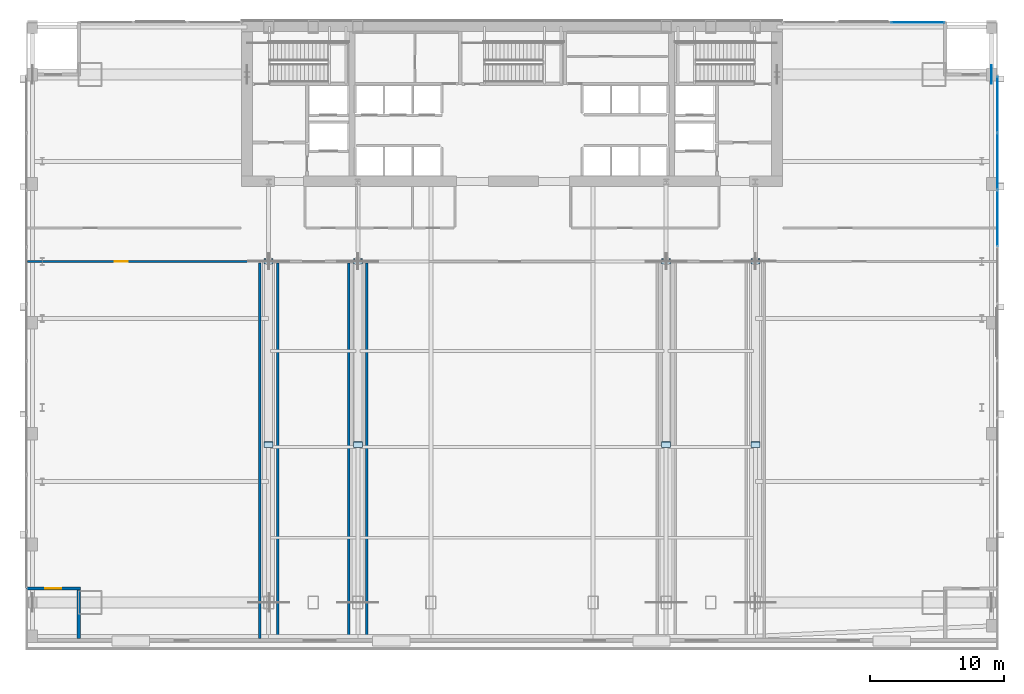
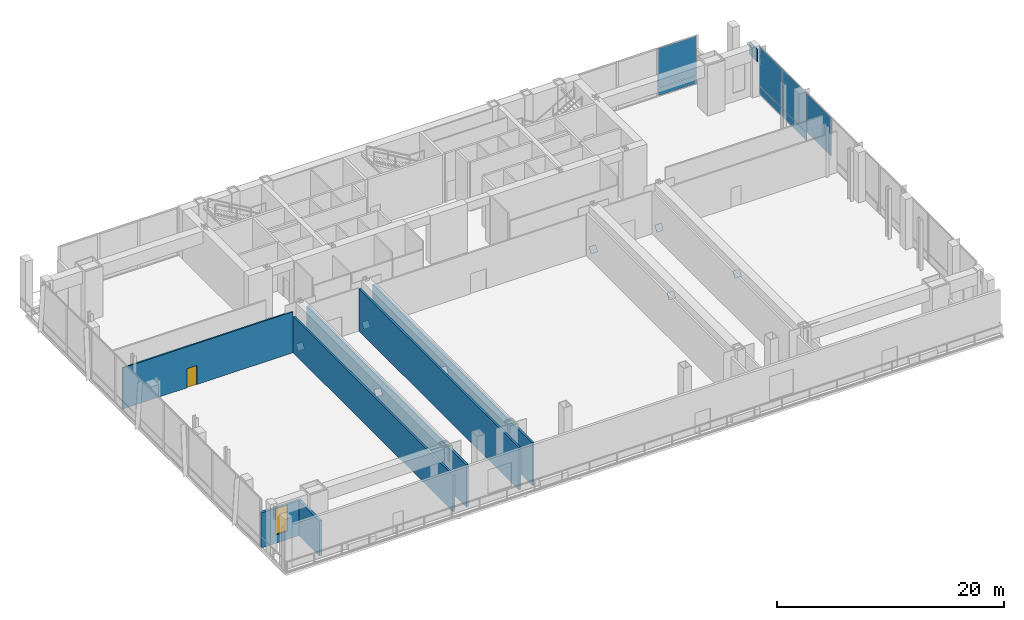
# One storey, part 19 of 26: 16 plates, 7 walls, 1 door, 1 window, 2 openings, 2 elements without a shape of their own.
"""IFC4 building model written with IfcOpenShell, lengths in metres."""

from ifc_helpers import new_model, si_unit, direction, frame, frame_2d, origin, origin_2d, place, context, subcontext, project, spatial, polyline, rectangle, outline, extrude, material, layer, layer_set, type_object, element, fill, aggregate, save


model = new_model("IFC4")

# Units and contexts
model_context = context("Model", 3, precision=1e-05, world=origin(), true_north=direction((0.0, 1.0)))
body_context = subcontext(model_context, "Body", "Model", "MODEL_VIEW")
ifc_project = project(units=[si_unit("LENGTHUNIT", "METRE"), si_unit("AREAUNIT", "SQUARE_METRE"), si_unit("VOLUMEUNIT", "CUBIC_METRE"), si_unit("PLANEANGLEUNIT", "RADIAN"), si_unit("MASSUNIT", "GRAM", prefix="KILO")], contexts=[model_context])

# Site, building, storey
site_placement = place(None, origin())
site = spatial("IfcSite", under=ifc_project, at=site_placement, CompositionType="ELEMENT")
building_placement = place(site_placement, origin())
building = spatial("IfcBuilding", under=site, at=building_placement, Name="Khoronbel Lancet Exchange", CompositionType="ELEMENT")
storey_placement = place(building_placement, frame((0.0, 0.0, 20.39990234375)))
storey = spatial("IfcBuildingStorey", under=building, at=storey_placement, Name="L04", CompositionType="ELEMENT", Elevation=20.39990234375)

# Curtain wall, plates
ifc_material_1 = material(Name="Low-E Solar Control Insulating Glass", Category="glass")
curtain_wall_type = type_object("IfcCurtainWallType", Name="CW-5", PredefinedType="NOTDEFINED", material=ifc_material_1)
curtain_wall_1_placement = place(storey_placement, origin())
curtain_wall_1 = element("IfcCurtainWall", 1, at=curtain_wall_1_placement, inside=storey, type_object=curtain_wall_type, Name="Unitised curtain wall CW-L04-EAST", PredefinedType="NOTDEFINED")
ifc_layer_1 = layer(ifc_material_1, 0.035888671875, Name="Low-E Solar Control Insulating Glass")
ifc_layer_set_1 = layer_set([ifc_layer_1], Name="Low-E Solar Control Insulating Glass")
plate_type_1 = type_object("IfcPlateType", Name="PLT-CWP1", PredefinedType="CURTAIN_PANEL", material=ifc_layer_set_1)
plate_1_placement = place(storey_placement, frame((72.800048828125, 38.933349609375, 0.98779296875), z_axis=(0.0, 0.0, 1.0), x_axis=(0.0, 1.0, 0.0)))
plate_1 = element("IfcPlate", 2, at=plate_1_placement, type_object=plate_type_1, Name="CW5 panel 7.2", PredefinedType="CURTAIN_PANEL", context=body_context, shape_type="SweptSolid", body=[
    extrude(rectangle(XDim=4.181640625, YDim=0.0380859375, at=origin_2d()), origin(), (0.0, 0.0, 1.0), 4.157470703125),
])
plate_2_placement = place(storey_placement, frame((72.800048828125, 43.199951171875, 0.0751953125), z_axis=(0.0, 0.0, 1.0), x_axis=(0.0, 1.0, 0.0)))
plate_2 = element("IfcPlate", 3, at=plate_2_placement, type_object=plate_type_1, Name="CW5 panel 8.1", PredefinedType="CURTAIN_PANEL", context=body_context, shape_type="SweptSolid", body=[
    extrude(rectangle(XDim=4.181640625, YDim=0.0380859375, at=origin_2d()), origin(), (0.0, 0.0, 1.0), 0.83740234375),
])
plate_3_placement = place(storey_placement, frame((72.800048828125, 43.199951171875, 0.98779296875), z_axis=(0.0, 0.0, 1.0), x_axis=(0.0, 1.0, 0.0)))
plate_3 = element("IfcPlate", 4, at=plate_3_placement, type_object=plate_type_1, Name="CW5 panel 8.2", PredefinedType="CURTAIN_PANEL", context=body_context, shape_type="SweptSolid", body=[
    extrude(rectangle(XDim=4.181640625, YDim=0.0380859375, at=origin_2d()), origin(), (0.0, 0.0, 1.0), 4.157470703125),
])
plate_4_placement = place(storey_placement, frame((72.800048828125, 47.4453125, 0.0751953125), z_axis=(0.0, 0.0, 1.0), x_axis=(0.0, 1.0, 0.0)))
plate_4 = element("IfcPlate", 5, at=plate_4_placement, type_object=plate_type_1, Name="CW5 panel 9.1", PredefinedType="CURTAIN_PANEL", context=body_context, shape_type="SweptSolid", body=[
    extrude(rectangle(XDim=4.13916015625, YDim=0.0380859375, at=origin_2d()), origin(), (0.0, 0.0, 1.0), 0.83740234375),
])
plate_5_placement = place(storey_placement, frame((72.800048828125, 47.4453125, 0.98779296875), z_axis=(0.0, 0.0, 1.0), x_axis=(0.0, 1.0, 0.0)))
plate_5 = element("IfcPlate", 6, at=plate_5_placement, type_object=plate_type_1, Name="CW5 panel 9.2", PredefinedType="CURTAIN_PANEL", context=body_context, shape_type="SweptSolid", body=[
    extrude(rectangle(XDim=4.13916015625, YDim=0.0380859375, at=origin_2d()), origin(), (0.0, 0.0, 1.0), 4.157470703125),
])
aggregate(curtain_wall_1, [plate_1, plate_2, plate_3, plate_4, plate_5])

curtain_wall_2_placement = place(storey_placement, origin())
curtain_wall_2 = element("IfcCurtainWall", 7, at=curtain_wall_2_placement, inside=storey, type_object=curtain_wall_type, Name="Unitised curtain wall CW-L04-NE", PredefinedType="NOTDEFINED")
plate_6_placement = place(storey_placement, frame((66.842041015625, 53.60009765625, 0.0751953125), z_axis=(0.0, 0.0, 1.0), x_axis=(1.0, 0.0, 0.0)))
plate_6 = element("IfcPlate", 8, at=plate_6_placement, type_object=plate_type_1, Name="CW5 panel 3.1", PredefinedType="CURTAIN_PANEL", context=body_context, shape_type="SweptSolid", body=[
    extrude(rectangle(XDim=3.94580078125, YDim=0.0380859375, at=origin_2d()), origin(), (0.0, 0.0, 1.0), 0.83740234375),
])
plate_7_placement = place(storey_placement, frame((66.842041015625, 53.60009765625, 0.98779296875), z_axis=(0.0, 0.0, 1.0), x_axis=(1.0, 0.0, 0.0)))
plate_7 = element("IfcPlate", 9, at=plate_7_placement, type_object=plate_type_1, Name="CW5 panel 3.2", PredefinedType="CURTAIN_PANEL", context=body_context, shape_type="SweptSolid", body=[
    extrude(rectangle(XDim=3.94580078125, YDim=0.0380859375, at=origin_2d()), origin(), (0.0, 0.0, 1.0), 4.157470703125),
])
aggregate(curtain_wall_2, [plate_6, plate_7])

# Plates
ifc_material_2 = material(Name="Steel S460", Category="steel")
ifc_layer_2 = layer(ifc_material_2, 0.044921875, Name="Steel S460")
ifc_layer_set_2 = layer_set([ifc_layer_2], Name="Steel S460")
plate_type_2 = type_object("IfcPlateType", Name="PLT-ECP1", PredefinedType="USERDEFINED", material=ifc_layer_set_2)
plate_8_placement = place(storey_placement, frame((17.885009765625, 35.4951171875, 0.078369140625), z_axis=(0.0, -0.819130726387, 0.573606880266), x_axis=(1.0, 0.0, 0.0)))
element("IfcPlate", 10, at=plate_8_placement, inside=storey, type_object=plate_type_2, Name="Hollow end cap plate PLT-CAP-TRD1-A", ObjectType="STIFFENER_PLATE", PredefinedType="USERDEFINED", context=body_context, shape_type="SweptSolid", body=[
    extrude(outline(polyline([(0.0, 0.0), (0.679931640625, 0.0), (0.679931640625, 0.68017578125), (0.0, 0.68017578125), (0.0, 0.0)])), origin(), (0.0, 0.0, -1.0), 0.044921875),
])
plate_9_placement = place(storey_placement, frame((17.885009765625, 21.778076171875, 3.46044921875), z_axis=(0.0, -0.819299382991, 0.573365957334), x_axis=(1.0, 0.0, 0.0)))
element("IfcPlate", 11, at=plate_9_placement, inside=storey, type_object=plate_type_2, Name="Hollow end cap plate PLT-CAP-TRD1-B", ObjectType="STIFFENER_PLATE", PredefinedType="USERDEFINED", context=body_context, shape_type="SweptSolid", body=[
    extrude(outline(polyline([(0.0, 0.0), (0.679931640625, 0.0), (0.679931640625, 0.679931640625), (0.0, 0.679931640625), (0.0, 0.0)])), origin(), (0.0, 0.0, -1.0), 0.044921875),
])
plate_10_placement = place(storey_placement, frame((24.56005859375, 35.4951171875, 0.078369140625), z_axis=(0.0, -0.819130726387, 0.573606880266), x_axis=(1.0, 0.0, 0.0)))
element("IfcPlate", 12, at=plate_10_placement, inside=storey, type_object=plate_type_2, Name="Hollow end cap plate PLT-CAP-TRD2-A", ObjectType="STIFFENER_PLATE", PredefinedType="USERDEFINED", context=body_context, shape_type="SweptSolid", body=[
    extrude(outline(polyline([(0.0, 0.0), (0.679931640625, 0.0), (0.679931640625, 0.68017578125), (0.0, 0.68017578125), (0.0, 0.0)])), origin(), (0.0, 0.0, -1.0), 0.044921875),
])
plate_11_placement = place(storey_placement, frame((24.56005859375, 21.778076171875, 3.46044921875), z_axis=(0.0, -0.819299382991, 0.573365957334), x_axis=(1.0, 0.0, 0.0)))
element("IfcPlate", 13, at=plate_11_placement, inside=storey, type_object=plate_type_2, Name="Hollow end cap plate PLT-CAP-TRD2-B", ObjectType="STIFFENER_PLATE", PredefinedType="USERDEFINED", context=body_context, shape_type="SweptSolid", body=[
    extrude(outline(polyline([(0.0, 0.0), (0.679931640625, 0.0), (0.679931640625, 0.679931640625), (0.0, 0.679931640625), (0.0, 0.0)])), origin(), (0.0, 0.0, -1.0), 0.044921875),
])
plate_12_placement = place(storey_placement, frame((47.659912109375, 35.4951171875, 0.078369140625), z_axis=(0.0, -0.819130726387, 0.573606880266), x_axis=(1.0, 0.0, 0.0)))
element("IfcPlate", 14, at=plate_12_placement, inside=storey, type_object=plate_type_2, Name="Hollow end cap plate PLT-CAP-TRD3-A", ObjectType="STIFFENER_PLATE", PredefinedType="USERDEFINED", context=body_context, shape_type="SweptSolid", body=[
    extrude(outline(polyline([(0.0, 0.0), (0.68017578125, 0.0), (0.68017578125, 0.68017578125), (0.0, 0.68017578125), (0.0, 0.0)])), origin(), (0.0, 0.0, -1.0), 0.044921875),
])
plate_13_placement = place(storey_placement, frame((47.659912109375, 21.778076171875, 3.46044921875), z_axis=(0.0, -0.819299382991, 0.573365957334), x_axis=(1.0, 0.0, 0.0)))
element("IfcPlate", 15, at=plate_13_placement, inside=storey, type_object=plate_type_2, Name="Hollow end cap plate PLT-CAP-TRD3-B", ObjectType="STIFFENER_PLATE", PredefinedType="USERDEFINED", context=body_context, shape_type="SweptSolid", body=[
    extrude(outline(polyline([(0.0, 0.0), (0.68017578125, 0.0), (0.68017578125, 0.679931640625), (0.0, 0.679931640625), (0.0, 0.0)])), origin(), (0.0, 0.0, -1.0), 0.044921875),
])
plate_14_placement = place(storey_placement, frame((54.3349609375, 35.4951171875, 0.078369140625), z_axis=(0.0, -0.819130726387, 0.573606880266), x_axis=(1.0, 0.0, 0.0)))
element("IfcPlate", 16, at=plate_14_placement, inside=storey, type_object=plate_type_2, Name="Hollow end cap plate PLT-CAP-TRD4-A", ObjectType="STIFFENER_PLATE", PredefinedType="USERDEFINED", context=body_context, shape_type="SweptSolid", body=[
    extrude(outline(polyline([(0.0, 0.0), (0.679931640625, 0.0), (0.679931640625, 0.68017578125), (0.0, 0.68017578125), (0.0, 0.0)])), origin(), (0.0, 0.0, -1.0), 0.044921875),
])
plate_15_placement = place(storey_placement, frame((54.3349609375, 21.778076171875, 3.46044921875), z_axis=(0.0, -0.819299382991, 0.573365957334), x_axis=(1.0, 0.0, 0.0)))
element("IfcPlate", 17, at=plate_15_placement, inside=storey, type_object=plate_type_2, Name="Hollow end cap plate PLT-CAP-TRD4-B", ObjectType="STIFFENER_PLATE", PredefinedType="USERDEFINED", context=body_context, shape_type="SweptSolid", body=[
    extrude(outline(polyline([(0.0, 0.0), (0.679931640625, 0.0), (0.679931640625, 0.679931640625), (0.0, 0.679931640625), (0.0, 0.0)])), origin(), (0.0, 0.0, -1.0), 0.044921875),
])
plate_16_placement = place(storey_placement, frame((72.360107421875, 49.699951171875, 3.8701171875), z_axis=(0.0, 0.0, 1.0), x_axis=(1.0, 0.0, 0.0)))
element("IfcPlate", 18, at=plate_16_placement, inside=storey, type_object=plate_type_2, Name="Hollow end cap plate PLT-CAP-BM-L04-ZTG-MC-NE-1", ObjectType="STIFFENER_PLATE", PredefinedType="USERDEFINED", context=body_context, shape_type="SweptSolid", body=[
    extrude(rectangle(XDim=0.044921875, YDim=1.3798828125, at=origin_2d()), origin(), (0.0, 0.0, 1.0), 1.3798828125),
])

# Wall, opening, window
ifc_material_3 = material(Name="Precast concrete C40/50", Category="concrete")
ifc_layer_3 = layer(ifc_material_3, 0.25, Name="Precast concrete C40/50")
ifc_layer_set_3 = layer_set([ifc_layer_3], Name="Precast concrete C40/50")
wall_type_1 = type_object("IfcWallType", Name="WL-EXT250", PredefinedType="SOLIDWALL", material=ifc_layer_set_3)
wall_1_placement = place(storey_placement, frame((4.125, 11.199951171875, 0.0), z_axis=(0.0, 0.0, 1.0), x_axis=(-1.0, 0.0, 0.0)))
wall_1 = element("IfcWall", 19, at=wall_1_placement, inside=storey, type_object=wall_type_1, Name="Level L04 corner notch exterior wall SWL4", PredefinedType="SOLIDWALL", context=body_context, shape_type="SweptSolid", body=[
    extrude(rectangle(XDim=4.044921875, YDim=0.25, at=frame_2d((2.0224609375, 0.0))), origin(), (0.0, 0.0, 1.0), 3.760009765625),
])
opening_1_placement = place(wall_1_placement, frame((1.422607421875, 0.0, 0.89990234375)))
opening_1 = element("IfcOpeningElement", 20, at=opening_1_placement, cuts=wall_1, Name="Opening W2", PredefinedType="OPENING", context=body_context, shape_type="SweptSolid", body=[
    extrude(rectangle(XDim=1.199951171875, YDim=2.800048828125, at=frame_2d((0.60009765625, 1.39990234375))), frame((0.0, 0.135009765625, 0.0), z_axis=(0.0, -1.0, 0.0), x_axis=(1.0, 0.0, 0.0)), (0.0, 0.0, 1.0), 0.27001953125),
])
window_type = type_object("IfcWindowType", Name="WIN-W2", PartitioningType="SINGLE_PANEL", PredefinedType="WINDOW", material=ifc_material_1)
window_placement = place(opening_1_placement, origin())
window = element("IfcWindow", 21, at=window_placement, inside=storey, type_object=window_type, Name="WIN-L04-SWL4", OverallHeight=2.800048828125, OverallWidth=1.199951171875, PartitioningType="SINGLE_PANEL", PredefinedType="WINDOW", context=body_context, shape_type="SweptSolid", body=[
    extrude(rectangle(XDim=1.199951171875, YDim=2.800048828125, at=frame_2d((0.60009765625, 1.39990234375))), frame((0.0, 0.030029296875, 0.0), z_axis=(0.0, -1.0, 0.0), x_axis=(1.0, 0.0, 0.0)), (0.0, 0.0, 1.0), 0.06005859375),
])
fill(opening_1, window)

# Wall
wall_2_placement = place(storey_placement, frame((4.0, 7.449951171875, 0.0), z_axis=(0.0, 0.0, 1.0), x_axis=(0.0, 1.0, 0.0)))
element("IfcWall", 22, at=wall_2_placement, inside=storey, type_object=wall_type_1, Name="Level L04 corner notch exterior wall SWV4", PredefinedType="SOLIDWALL", context=body_context, shape_type="SweptSolid", body=[
    extrude(rectangle(XDim=3.625, YDim=0.25, at=frame_2d((1.8125, 0.0))), origin(), (0.0, 0.0, 1.0), 3.760009765625),
])

# Wall, opening, door
ifc_material_4 = material(Name="Fire-Rated Twin-Stud Acoustic Gypsum Partition 150 mm", Category="gypsum")
ifc_layer_4 = layer(ifc_material_4, 0.14990234375, Name="Fire-Rated Twin-Stud Acoustic Gypsum Partition 150 mm")
ifc_layer_set_4 = layer_set([ifc_layer_4], Name="Fire-Rated Twin-Stud Acoustic Gypsum Partition 150 mm")
wall_type_2 = type_object("IfcWallType", Name="WL-PRT150C", PredefinedType="PARTITIONING", material=ifc_layer_set_4)
wall_3_placement = place(storey_placement, frame((0.179931640625, 35.699951171875, 0.0), z_axis=(0.0, 0.0, 1.0), x_axis=(1.0, 0.0, 0.0)))
wall_3 = element("IfcWall", 23, at=wall_3_placement, inside=storey, type_object=wall_type_2, Name="Level L04 interior partition PW-L04-S1", PredefinedType="PARTITIONING", context=body_context, shape_type="SweptSolid", body=[
    extrude(rectangle(XDim=17.26513671875, YDim=0.14990234375, at=frame_2d((8.632568359375, 0.0))), origin(), (0.0, 0.0, 1.0), 4.41015625),
])
opening_2_placement = place(wall_3_placement, frame((6.5, 0.0, 0.0)))
opening_2 = element("IfcOpeningElement", 24, at=opening_2_placement, cuts=wall_3, Name="Opening D2", PredefinedType="OPENING", context=body_context, shape_type="SweptSolid", body=[
    extrude(rectangle(XDim=1.0, YDim=2.050048828125, at=frame_2d((0.5, 1.02490234375))), frame((0.0, 0.0849609375, 0.0), z_axis=(0.0, -1.0, 0.0), x_axis=(1.0, 0.0, 0.0)), (0.0, 0.0, 1.0), 0.169921875),
])
ifc_material_5 = material(Name="Acoustic Veneered Timber & Bronze Frame Door", Category="wood")
door_type = type_object("IfcDoorType", Name="DR-D2", OperationType="NOTDEFINED", PredefinedType="DOOR", material=ifc_material_5)
door_placement = place(opening_2_placement, origin())
door = element("IfcDoor", 25, at=door_placement, inside=storey, type_object=door_type, Name="West terrace conference room door L04-1", OperationType="SINGLE_SWING_RIGHT", OverallHeight=2.050048828125, OverallWidth=1.0, PredefinedType="DOOR", context=body_context, shape_type="SweptSolid", body=[
    extrude(rectangle(XDim=1.0, YDim=2.050048828125, at=frame_2d((0.5, 1.02490234375))), frame((0.0, 0.02490234375, 0.0), z_axis=(0.0, -1.0, 0.0), x_axis=(1.0, 0.0, 0.0)), (0.0, 0.0, 1.0), 0.050048828125),
])
fill(opening_2, door)

# Walls
ifc_material_6 = material(Name="Autoclaved Aerated Concrete Blockwork 200 mm", Category="masonry")
ifc_layer_5 = layer(ifc_material_6, 0.199951171875, Name="Autoclaved Aerated Concrete Blockwork 200 mm")
ifc_layer_set_5 = layer_set([ifc_layer_5], Name="Autoclaved Aerated Concrete Blockwork 200 mm")
wall_type_3 = type_object("IfcWallType", Name="WL-PRT200", PredefinedType="PARTITIONING", material=ifc_layer_set_5)
wall_4_placement = place(storey_placement, frame((17.550048828125, 7.449951171875, 0.0), z_axis=(0.0, 0.0, 1.0), x_axis=(0.0, 1.0, 0.0)))
element("IfcWall", 26, at=wall_4_placement, inside=storey, type_object=wall_type_3, Name="Level L04 interior partition PW-L04-TW1A", PredefinedType="PARTITIONING", context=body_context, shape_type="SweptSolid", body=[
    extrude(rectangle(XDim=28.14501953125, YDim=0.199951171875, at=frame_2d((14.072509765625, 0.0))), origin(), (0.0, 0.0, 1.0), 3.89013671875),
])
for number, where, z_axis, x_axis, name in (
    (27, (18.89990234375, 7.449951171875, 0.0), (0.0, 0.0, 1.0), (0.0, 1.0, 0.0), "Level L04 interior partition PW-L04-TW1B"),
    (28, (24.219970703125, 7.449951171875, 0.0), (0.0, 0.0, 1.0), (0.0, 1.0, 0.0), "Level L04 interior partition PW-L04-TW2A"),
    (29, (25.580078125, 7.449951171875, 0.0), (0.0, 0.0, 1.0), (0.0, 1.0, 0.0), "Level L04 interior partition PW-L04-TW2B"),
):
    element("IfcWall", number, at=place(storey_placement, frame(where, z_axis=z_axis, x_axis=x_axis)), inside=storey, type_object=wall_type_3, Name=name, PredefinedType="PARTITIONING", context=body_context, shape_type="SweptSolid", body=[
        extrude(rectangle(XDim=28.14501953125, YDim=0.199951171875, at=frame_2d((14.072509765625, 0.0))), origin(), (0.0, 0.0, 1.0), 4.56005859375),
    ])

save(model, "model.ifc")
